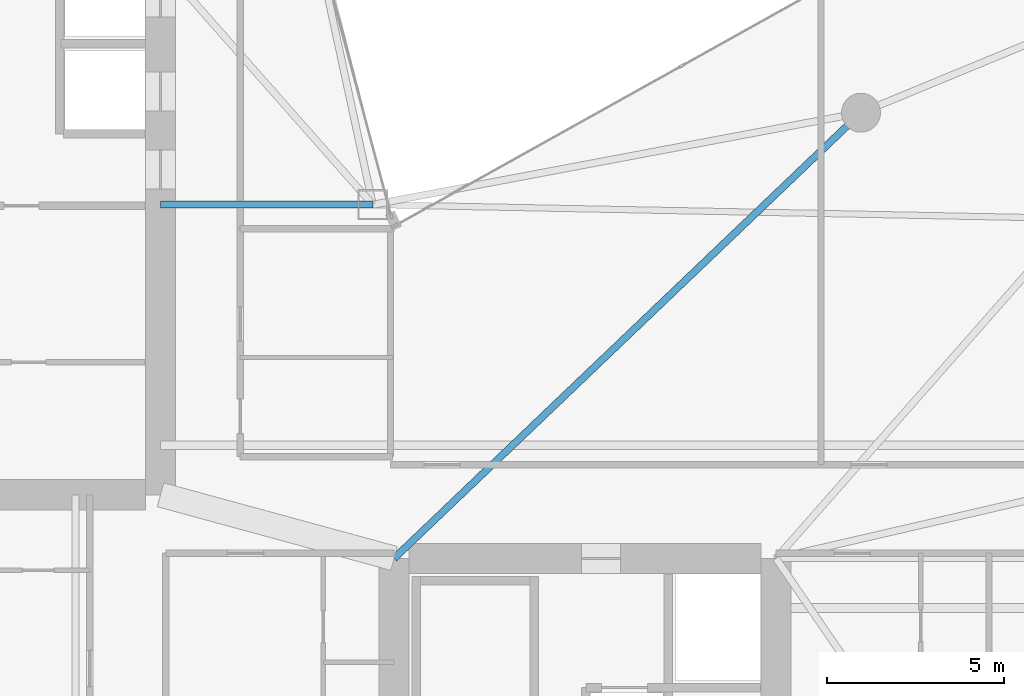
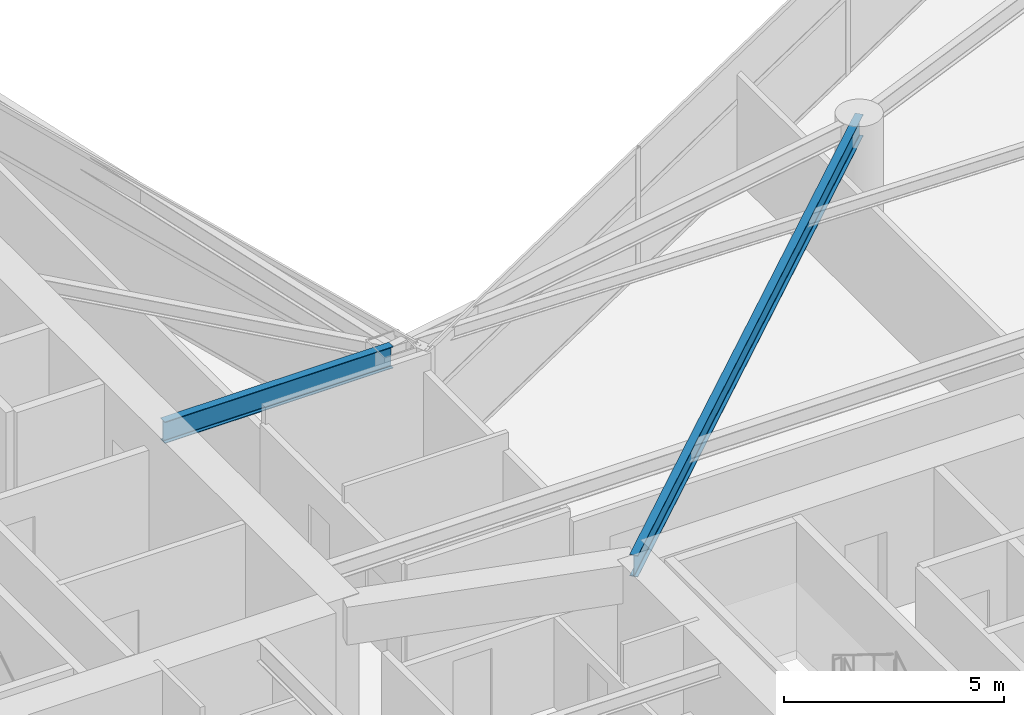
# One storey, part 9 of 28: 2 beams.
"""IFC4 building model written with IfcOpenShell, lengths in metres."""

import ifcopenshell
import ifcopenshell.guid

model = None  # the IFC model being written
_history = None  # IfcOwnerHistory: only IFC2X3 demands one
_inside = {}  # id of a spatial element -> (the spatial element, [elements in it])
_under = {}  # id of a project, library or spatial element -> (it, [spatial elements below it])
_declared = {}  # id of a project -> (the project, [libraries it declares])
_typed = {}  # id of a type object -> (the type object, [elements of that type])
_made_of = {}  # id of a material, layer set ... -> (it, [elements and type objects made of it])


def new_model(schema):
    """Start an empty IFC model of exactly this schema.

    Asked for "IFC4X3", IfcOpenShell would pick the latest addendum, in which some entities
    have other attributes; the version numbers below select the first issue.
    IFC2X3 requires an IfcOwnerHistory on every rooted entity: one is made here for all.
    """
    global model, _history
    if schema == "IFC4X3":
        model = ifcopenshell.file(schema_version=(4, 3, 0, 0))
    else:
        model = ifcopenshell.file(schema=schema)
    _inside.clear()
    _under.clear()
    _declared.clear()
    _typed.clear()
    _made_of.clear()
    _history = None
    if model.schema == "IFC2X3":
        org = make("IfcOrganization", Name="unknown")
        user = make(
            "IfcPersonAndOrganization",
            ThePerson=make("IfcPerson", FamilyName="unknown"),
            TheOrganization=org,
        )
        app = make(
            "IfcApplication",
            ApplicationDeveloper=org,
            Version="unknown",
            ApplicationFullName="unknown",
            ApplicationIdentifier="unknown",
        )
        _history = make(
            "IfcOwnerHistory",
            OwningUser=user,
            OwningApplication=app,
            ChangeAction="ADDED",
            CreationDate=0,
        )
    return model


def make(cls, **values):
    """One entity of the class cls with the attributes given. An attribute that is None is left unset."""
    return model.create_entity(
        cls, **{name: value for name, value in values.items() if value is not None}
    )


def rooted(cls, **values):
    """An entity with a GlobalId (a new one), such as an element, a storey or a relation."""
    return make(cls, GlobalId=ifcopenshell.guid.new(), OwnerHistory=_history, **values)


def si_unit(unit_type, name, prefix=None):
    """IfcSIUnit, for example si_unit("LENGTHUNIT", "METRE", prefix="MILLI")."""
    return make("IfcSIUnit", UnitType=unit_type, Prefix=prefix, Name=name)


def assignment(units):
    """IfcUnitAssignment: the units of a project."""
    return None if units is None else make("IfcUnitAssignment", Units=units)


def point(xyz):
    """IfcCartesianPoint."""
    return None if xyz is None else make("IfcCartesianPoint", Coordinates=xyz)


def direction(xyz):
    """IfcDirection."""
    return None if xyz is None else make("IfcDirection", DirectionRatios=xyz)


def frame(location, z_axis=None, x_axis=None):
    """IfcAxis2Placement3D, a coordinate frame: its origin and axes. An axis left out is left unset."""
    return make(
        "IfcAxis2Placement3D",
        Location=point(location),
        Axis=direction(z_axis),
        RefDirection=direction(x_axis),
    )


def frame_2d(location, x_axis=None):
    """IfcAxis2Placement2D, a coordinate frame in the plane: its origin and x axis."""
    return make(
        "IfcAxis2Placement2D", Location=point(location), RefDirection=direction(x_axis)
    )


def origin():
    """The frame at (0, 0, 0) with its axes left unset."""
    return frame((0.0, 0.0, 0.0))


def origin_2d():
    """The frame at (0, 0) in the plane with its x axis left unset."""
    return frame_2d((0.0, 0.0))


def place(relative_to, where):
    """IfcLocalPlacement: puts the frame where relative to a parent placement (None: the world)."""
    return make(
        "IfcLocalPlacement", PlacementRelTo=relative_to, RelativePlacement=where
    )


def context(
    kind, dimensions, precision=None, world=None, true_north=None, identifier=None
):
    """IfcGeometricRepresentationContext, for example the 3D "Model" context."""
    return make(
        "IfcGeometricRepresentationContext",
        ContextIdentifier=identifier,
        ContextType=kind,
        CoordinateSpaceDimension=dimensions,
        Precision=precision,
        WorldCoordinateSystem=world,
        TrueNorth=true_north,
    )


def subcontext(parent, identifier, kind, view, scale=None):
    """IfcGeometricRepresentationSubContext, for example "Body" below "Model"."""
    return make(
        "IfcGeometricRepresentationSubContext",
        ContextIdentifier=identifier,
        ContextType=kind,
        ParentContext=parent,
        TargetScale=scale,
        TargetView=view,
    )


def project(units=None, contexts=None):
    """IfcProject with its units and contexts."""
    return rooted(
        "IfcProject",
        Name="project",
        RepresentationContexts=contexts,
        UnitsInContext=assignment(units),
    )


def spatial(cls, under=None, at=None, **own):
    """A site, building, storey or space (cls), placed at a placement, below another one or the project."""
    s = rooted(cls, ObjectPlacement=at, **own)
    if under is not None:
        _under.setdefault(under.id(), (under, []))[1].append(s)
    return s


def profile(cls, at=None, kind="AREA", **sizes):
    """A parametric profile (cls). Its sizes go by their IFC names, for example OverallWidth=200.0."""
    return make(cls, ProfileType=kind, Position=at, **sizes)


def i_section(**sizes):
    """IfcIShapeProfileDef."""
    return profile("IfcIShapeProfileDef", **sizes)


def extrude(swept, where, along, depth):
    """IfcExtrudedAreaSolid: the profile swept, set in the frame where, extruded along a direction by depth."""
    return make(
        "IfcExtrudedAreaSolid",
        SweptArea=swept,
        Position=where,
        ExtrudedDirection=direction(along),
        Depth=depth,
    )


def shape(context_of_items, identifier, shape_type, items):
    """IfcShapeRepresentation: the items that make up one representation, for example the "Body"."""
    return make(
        "IfcShapeRepresentation",
        ContextOfItems=context_of_items,
        RepresentationIdentifier=identifier,
        RepresentationType=shape_type,
        Items=items,
    )


def material(Name=None, Category=None):
    """IfcMaterial."""
    return make("IfcMaterial", Name=Name, Category=Category)


def material_profile(
    of_material, cross_section, Name=None, Category=None, Priority=None
):
    """IfcMaterialProfile: a cross section and its material."""
    return make(
        "IfcMaterialProfile",
        Name=Name,
        Material=of_material,
        Profile=cross_section,
        Priority=Priority,
        Category=Category,
    )


def profile_set(profiles, Name=None, composite=None):
    """IfcMaterialProfileSet."""
    return make(
        "IfcMaterialProfileSet",
        Name=Name,
        MaterialProfiles=profiles,
        CompositeProfile=composite,
    )


def made_of(thing, what):
    """Note that an element or type object is made of a material, layer set ...; save() writes the relation."""
    if what is not None:
        _made_of.setdefault(what.id(), (what, []))[1].append(thing)
    return thing


def type_object(cls, material=None, **own):
    """A type object (cls), such as IfcWallType, which elements share."""
    return made_of(rooted(cls, **own), material)


def element(
    cls,
    number,
    at=None,
    inside=None,
    cuts=None,
    type_object=None,
    material=None,
    context=None,
    identifier="Body",
    shape_type=None,
    held_by="IfcProductDefinitionShape",
    body=None,
    shapes=None,
    **own,
):
    """One element of the class cls, such as IfcWall. Its Tag is "e" and its number.

    at: its placement. inside: the storey or other place that contains it. cuts: it is an
    opening in that element (IfcRelVoidsElement). A single representation is given by context,
    identifier, shape_type and body (its items); several are given by shapes. held_by: the class
    of the entity that holds the representations. save() writes the other relations.
    """
    e = rooted(cls, Tag="e%d" % number, ObjectPlacement=at, **own)
    if body is not None:
        shapes = [shape(context, identifier, shape_type, body)]
    if shapes is not None:
        e.Representation = make(held_by, Representations=shapes)
    if inside is not None:
        _inside.setdefault(inside.id(), (inside, []))[1].append(e)
    if cuts is not None:
        rooted(
            "IfcRelVoidsElement", RelatingBuildingElement=cuts, RelatedOpeningElement=e
        )
    if type_object is not None:
        _typed.setdefault(type_object.id(), (type_object, []))[1].append(e)
    return made_of(e, material)


def aggregate(whole, parts):
    """IfcRelAggregates: a whole, such as a stair, and the parts it consists of."""
    return rooted("IfcRelAggregates", RelatingObject=whole, RelatedObjects=parts)


def save(model, path):
    """Write the relations noted so far, then the file.

    IfcRelAggregates (storeys below a building ...), IfcRelContainedInSpatialStructure (elements
    in a storey), IfcRelDefinesByType, IfcRelAssociatesMaterial and IfcRelDeclares: one each for
    every whole, place, type object, material and project.
    """
    for whole, parts in _under.values():
        aggregate(whole, parts)
    for where, things in _inside.values():
        rooted(
            "IfcRelContainedInSpatialStructure",
            RelatedElements=things,
            RelatingStructure=where,
        )
    for kind, things in _typed.values():
        rooted("IfcRelDefinesByType", RelatedObjects=things, RelatingType=kind)
    for what, things in _made_of.values():
        rooted("IfcRelAssociatesMaterial", RelatedObjects=things, RelatingMaterial=what)
    for by, libraries in _declared.values():
        rooted("IfcRelDeclares", RelatingContext=by, RelatedDefinitions=libraries)
    model.write(path)


model = new_model("IFC4")

# Units and contexts
model_context = context("Model", 3, precision=1e-05, world=origin(), true_north=direction((0.0, 1.0)))
body_context = subcontext(model_context, "Body", "Model", "MODEL_VIEW")
ifc_project = project(units=[si_unit("LENGTHUNIT", "METRE"), si_unit("AREAUNIT", "SQUARE_METRE"), si_unit("VOLUMEUNIT", "CUBIC_METRE"), si_unit("PLANEANGLEUNIT", "RADIAN"), si_unit("MASSUNIT", "GRAM", prefix="KILO")], contexts=[model_context])

# Site, building, storey
site_placement = place(None, origin())
site = spatial("IfcSite", under=ifc_project, at=site_placement, CompositionType="ELEMENT")
building_placement = place(site_placement, origin())
building = spatial("IfcBuilding", under=site, at=building_placement, Name="Calvorn Quay Hotel", CompositionType="ELEMENT")
storey_placement = place(building_placement, frame((0.0, 0.0, 152.300048828125)))
storey = spatial("IfcBuildingStorey", under=building, at=storey_placement, Name="L37", CompositionType="ELEMENT", Elevation=152.300048828125)

# Beams
ifc_material = material(Name="Steel Q355B", Category="steel")
ifc_material_profile = material_profile(ifc_material, i_section(OverallWidth=0.199951171875, OverallDepth=0.60009765625, WebThickness=0.010986328125, FlangeThickness=0.01708984375, FilletRadius=0.01806640625, at=origin_2d()), Name="HN600x200x11x17")
ifc_profile_set = profile_set([ifc_material_profile], Name="Steel Q355B")
beam_type = type_object("IfcBeamType", Name="BM-GIRD-TYP", PredefinedType="BEAM", material=ifc_profile_set)
beam_1_placement = place(storey_placement, frame((21.0, 25.0, 3.239990234375), z_axis=(-1.0, 0.0, 0.0), x_axis=(0.0, -1.0, 0.0)))
element("IfcBeam", 1, at=beam_1_placement, inside=storey, type_object=beam_type, Name="Beam BG-L37-W7", PredefinedType="BEAM", context=body_context, shape_type="SweptSolid", body=[
    extrude(i_section(OverallWidth=0.199951171875, OverallDepth=0.60009765625, WebThickness=0.010986328125, FlangeThickness=0.01708984375, FilletRadius=0.01806640625, at=origin_2d()), origin(), (0.0, 0.0, 1.0), 6.0),
])
beam_2_placement = place(storey_placement, frame((21.60009765625, 15.0, 3.239990234375), z_axis=(0.723351595578, 0.690479883252, 0.0), x_axis=(-0.690479883252, 0.723351595578, 0.0)))
element("IfcBeam", 2, at=beam_2_placement, inside=storey, type_object=beam_type, Name="Beam BG-L37-E4", PredefinedType="BEAM", context=body_context, shape_type="SweptSolid", body=[
    extrude(i_section(OverallWidth=0.199951171875, OverallDepth=0.60009765625, WebThickness=0.010986328125, FlangeThickness=0.01708984375, FilletRadius=0.01806640625, at=origin_2d()), origin(), (0.0, 0.0, 1.0), 18.248291015625),
])

save(model, "model.ifc")
